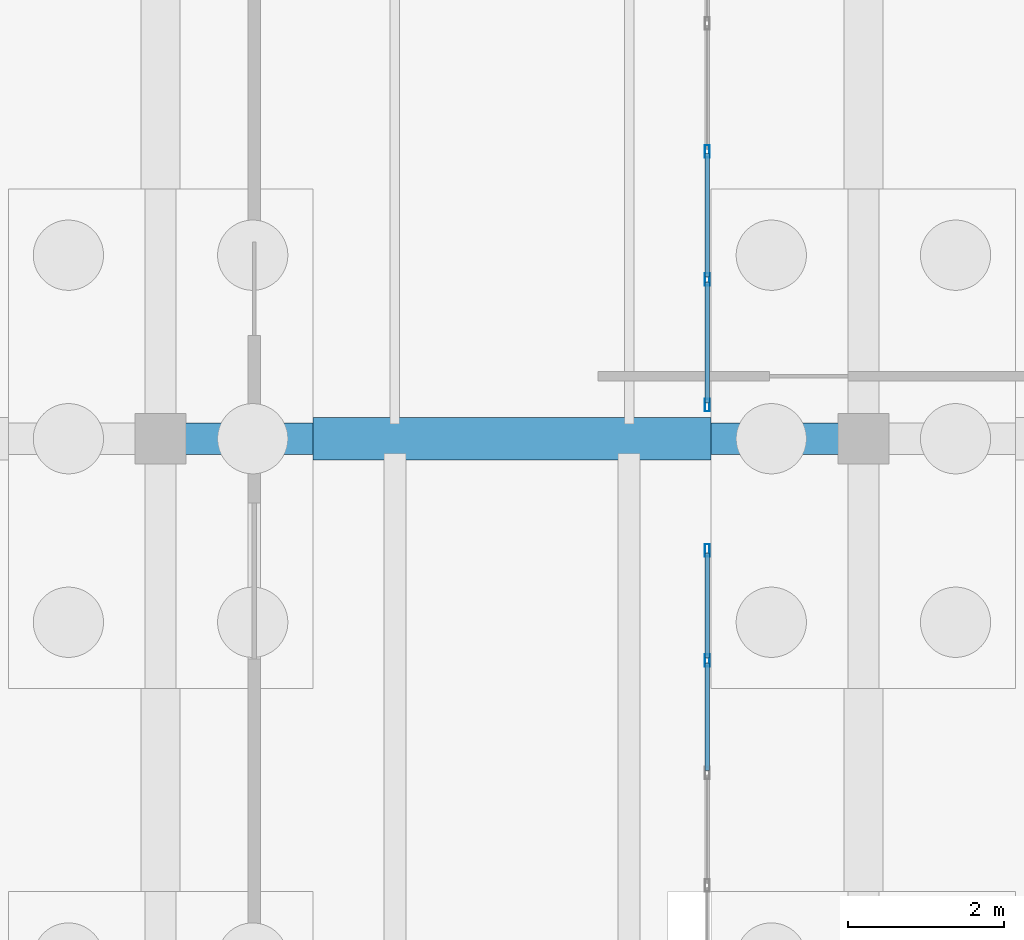
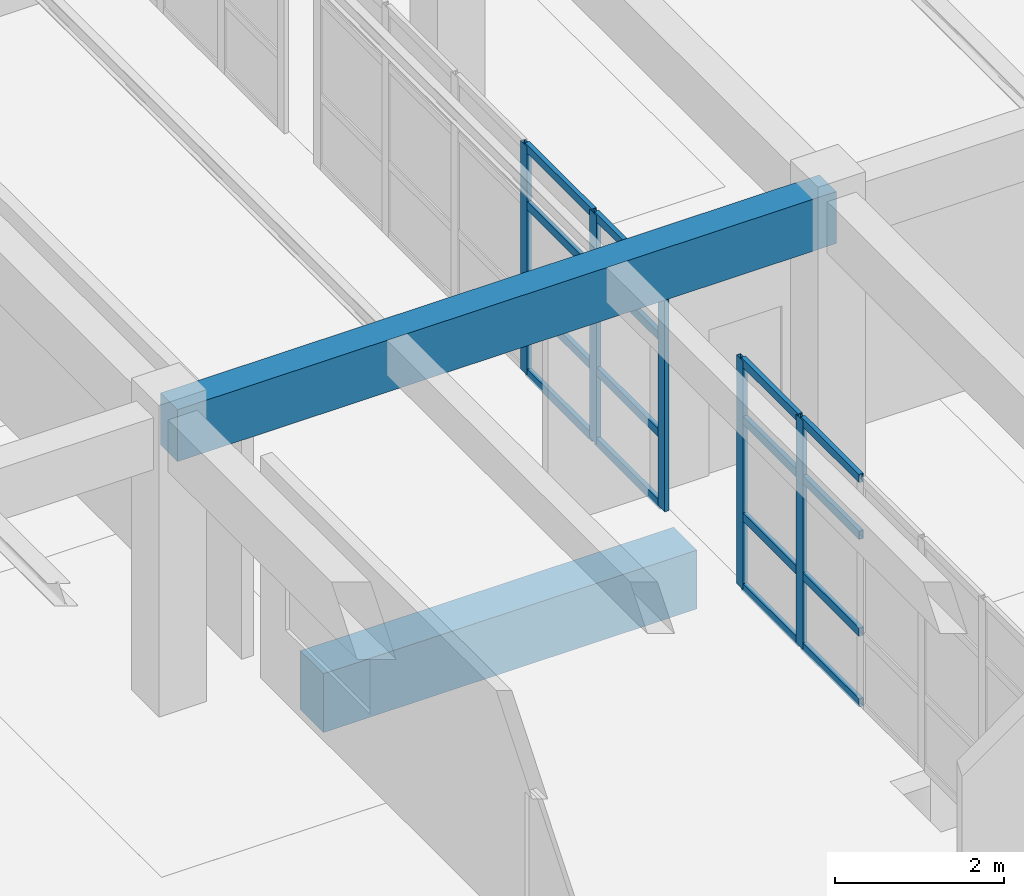
# One storey, part 117 of 186: 21 members, 2 beams, 2 elements without a shape of their own.
"""IFC4 building model written with IfcOpenShell, lengths in metres."""

from ifc_helpers import new_model, si_unit, direction, frame, origin, origin_2d, place, context, subcontext, project, spatial, rectangle, hollow_rectangle, extrude, material, layer, layer_set, material_profile, profile_set, type_object, element, aggregate, save


model = new_model("IFC4")

# Units and contexts
model_context = context("Model", 3, precision=1e-05, world=origin(), true_north=direction((0.0, 1.0)))
body_context = subcontext(model_context, "Body", "Model", "MODEL_VIEW")
ifc_project = project(units=[si_unit("LENGTHUNIT", "METRE"), si_unit("AREAUNIT", "SQUARE_METRE"), si_unit("VOLUMEUNIT", "CUBIC_METRE"), si_unit("PLANEANGLEUNIT", "RADIAN"), si_unit("MASSUNIT", "GRAM", prefix="KILO")], contexts=[model_context])

# Site, building, storey
site_placement = place(None, origin())
site = spatial("IfcSite", under=ifc_project, at=site_placement, CompositionType="ELEMENT")
building_placement = place(site_placement, origin())
building = spatial("IfcBuilding", under=site, at=building_placement, Name="Ornek Quay Market", CompositionType="ELEMENT")
storey_placement = place(building_placement, origin())
storey = spatial("IfcBuildingStorey", under=building, at=storey_placement, Name="L00", CompositionType="ELEMENT", Elevation=0.0)

# Beams
ifc_material_1 = material(Name="Concrete C35/45", Category="concrete")
ifc_material_profile_1 = material_profile(ifc_material_1, rectangle(XDim=0.39990234375, YDim=0.75, at=origin_2d()), Name="RC 400x750", Category="concrete")
ifc_profile_set_1 = profile_set([ifc_material_profile_1], Name="Concrete C35/45")
beam_type_1 = type_object("IfcBeamType", Name="BM-CS-400x750", PredefinedType="BEAM", material=ifc_profile_set_1)
beam_1_placement = place(storey_placement, frame((162.0, 47.0, 3.875), z_axis=(1.0, 0.0, 0.0), x_axis=(0.0, 1.0, 0.0)))
element("IfcBeam", 1, at=beam_1_placement, inside=storey, type_object=beam_type_1, Name="Primary beam B-CS1-011", PredefinedType="BEAM", context=body_context, shape_type="SweptSolid", body=[
    extrude(rectangle(XDim=0.39990234375, YDim=0.75, at=origin_2d()), origin(), (0.0, 0.0, 1.0), 9.0),
])
ifc_material_profile_2 = material_profile(ifc_material_1, rectangle(XDim=0.550048828125, YDim=0.85009765625, at=origin_2d()), Name="RC 550x850", Category="concrete")
ifc_profile_set_2 = profile_set([ifc_material_profile_2], Name="Concrete C35/45")
beam_type_2 = type_object("IfcBeamType", Name="BM-GB-550x850", PredefinedType="BEAM", material=ifc_profile_set_2)
beam_2_placement = place(storey_placement, frame((163.949951171875, 47.0, -0.625), z_axis=(1.0, 0.0, 0.0), x_axis=(0.0, 1.0, 0.0)))
element("IfcBeam", 2, at=beam_2_placement, inside=storey, type_object=beam_type_2, Name="Ground tie beam GB-323", PredefinedType="BEAM", context=body_context, shape_type="SweptSolid", body=[
    extrude(rectangle(XDim=0.550048828125, YDim=0.85009765625, at=origin_2d()), origin(), (0.0, 0.0, 1.0), 5.10009765625),
])

# Curtain wall, members
ifc_material_2 = material(Name="Anodised bronze aluminium and triple low-e glass", Category="aluminium")
ifc_layer = layer(ifc_material_2, 0.139892578125, Name="Anodised bronze aluminium and triple low-e glass", Category="aluminium")
ifc_layer_set = layer_set([ifc_layer], Name="Anodised bronze aluminium and triple low-e glass")
curtain_wall_type = type_object("IfcCurtainWallType", Name="CW-GALLERY-INT", PredefinedType="USERDEFINED", material=ifc_layer_set)
curtain_wall_1_placement = place(storey_placement, origin())
curtain_wall_1 = element("IfcCurtainWall", 3, at=curtain_wall_1_placement, inside=storey, type_object=curtain_wall_type, Name="Curtain wall CW-160", ObjectType="CURTAIN WALL", PredefinedType="USERDEFINED")
ifc_material_3 = material(Name="Anodised aluminium 6063-T6", Category="aluminium")
ifc_material_profile_3 = material_profile(ifc_material_3, hollow_rectangle(XDim=0.06005859375, YDim=0.159912109375, WallThickness=0.00390625, at=origin_2d()), Name="CW-MUL-60x160", Category="aluminium")
ifc_profile_set_3 = profile_set([ifc_material_profile_3], Name="Anodised aluminium 6063-T6")
member_type_1 = type_object("IfcMemberType", Name="CW-MUL-60x160", PredefinedType="MULLION", material=ifc_profile_set_3)
member_1_placement = place(storey_placement, frame((169.0, 44.159912109375, 0.0), z_axis=(0.0, 0.0, 1.0), x_axis=(-1.0, 0.0, 0.0)))
member_1 = element("IfcMember", 4, at=member_1_placement, type_object=member_type_1, Name="CW-160 mullion 5", PredefinedType="MULLION", context=body_context, shape_type="SweptSolid", body=[
    extrude(hollow_rectangle(XDim=0.06005859375, YDim=0.159912109375, WallThickness=0.00390625, at=origin_2d()), origin(), (0.0, 0.0, 1.0), 3.300048828125),
])
member_2_placement = place(storey_placement, frame((169.0, 45.570068359375, 0.0), z_axis=(0.0, 0.0, 1.0), x_axis=(-1.0, 0.0, 0.0)))
member_2 = element("IfcMember", 5, at=member_2_placement, type_object=member_type_1, Name="CW-160 mullion 6", PredefinedType="MULLION", context=body_context, shape_type="SweptSolid", body=[
    extrude(hollow_rectangle(XDim=0.06005859375, YDim=0.159912109375, WallThickness=0.00390625, at=origin_2d()), origin(), (0.0, 0.0, 1.0), 3.300048828125),
])

curtain_wall_2_placement = place(storey_placement, origin())
curtain_wall_2 = element("IfcCurtainWall", 6, at=curtain_wall_2_placement, inside=storey, type_object=curtain_wall_type, Name="Curtain wall CW-161", ObjectType="CURTAIN WALL", PredefinedType="USERDEFINED")
member_3_placement = place(storey_placement, frame((169.0, 47.429931640625, 0.0), z_axis=(0.0, 0.0, 1.0), x_axis=(-1.0, 0.0, 0.0)))
member_3 = element("IfcMember", 7, at=member_3_placement, type_object=member_type_1, Name="CW-161 mullion 1", PredefinedType="MULLION", context=body_context, shape_type="SweptSolid", body=[
    extrude(hollow_rectangle(XDim=0.06005859375, YDim=0.159912109375, WallThickness=0.00390625, at=origin_2d()), origin(), (0.0, 0.0, 1.0), 3.300048828125),
])
member_4_placement = place(storey_placement, frame((169.0, 49.0400390625, 0.0), z_axis=(0.0, 0.0, 1.0), x_axis=(-1.0, 0.0, 0.0)))
member_4 = element("IfcMember", 8, at=member_4_placement, type_object=member_type_1, Name="CW-161 mullion 2", PredefinedType="MULLION", context=body_context, shape_type="SweptSolid", body=[
    extrude(hollow_rectangle(XDim=0.06005859375, YDim=0.159912109375, WallThickness=0.00390625, at=origin_2d()), origin(), (0.0, 0.0, 1.0), 3.300048828125),
])
member_5_placement = place(storey_placement, frame((169.0, 50.679931640625, 0.0), z_axis=(0.0, 0.0, 1.0), x_axis=(-1.0, 0.0, 0.0)))
member_5 = element("IfcMember", 9, at=member_5_placement, type_object=member_type_1, Name="CW-161 mullion 3", PredefinedType="MULLION", context=body_context, shape_type="SweptSolid", body=[
    extrude(hollow_rectangle(XDim=0.06005859375, YDim=0.159912109375, WallThickness=0.00390625, at=origin_2d()), origin(), (0.0, 0.0, 1.0), 3.300048828125),
])

# Member
ifc_material_profile_4 = material_profile(ifc_material_3, hollow_rectangle(XDim=0.06005859375, YDim=0.1201171875, WallThickness=0.00390625, at=origin_2d()), Name="CW-TRN-60x120", Category="aluminium")
ifc_profile_set_4 = profile_set([ifc_material_profile_4], Name="Anodised aluminium 6063-T6")
member_type_2 = type_object("IfcMemberType", Name="CW-TRN-60x120", PredefinedType="USERDEFINED", material=ifc_profile_set_4)
member_6_placement = place(storey_placement, frame((169.0, 42.75, 0.030029296875), z_axis=(0.0, 1.0, 0.0), x_axis=(-1.0, 0.0, 0.0)))
member_6 = element("IfcMember", 10, at=member_6_placement, type_object=member_type_2, Name="CW-160 transom 4.1", ObjectType="TRANSOM", PredefinedType="USERDEFINED", context=body_context, shape_type="SweptSolid", body=[
    extrude(hollow_rectangle(XDim=0.06005859375, YDim=0.1201171875, WallThickness=0.00390625, at=origin_2d()), origin(), (0.0, 0.0, 1.0), 1.3798828125),
])

member_7_placement = place(storey_placement, frame((169.0, 42.75, 1.050048828125), z_axis=(0.0, 1.0, 0.0), x_axis=(-1.0, 0.0, 0.0)))
member_7 = element("IfcMember", 11, at=member_7_placement, type_object=member_type_2, Name="CW-160 transom 4.2", ObjectType="TRANSOM", PredefinedType="USERDEFINED", context=body_context, shape_type="SweptSolid", body=[
    extrude(hollow_rectangle(XDim=0.06005859375, YDim=0.1201171875, WallThickness=0.00390625, at=origin_2d()), origin(), (0.0, 0.0, 1.0), 1.3798828125),
])

member_8_placement = place(storey_placement, frame((169.0, 42.75, 2.449951171875), z_axis=(0.0, 1.0, 0.0), x_axis=(-1.0, 0.0, 0.0)))
member_8 = element("IfcMember", 12, at=member_8_placement, type_object=member_type_2, Name="CW-160 transom 4.3", ObjectType="TRANSOM", PredefinedType="USERDEFINED", context=body_context, shape_type="SweptSolid", body=[
    extrude(hollow_rectangle(XDim=0.06005859375, YDim=0.1201171875, WallThickness=0.00390625, at=origin_2d()), origin(), (0.0, 0.0, 1.0), 1.3798828125),
])

member_9_placement = place(storey_placement, frame((169.0, 42.75, 3.27001953125), z_axis=(0.0, 1.0, 0.0), x_axis=(-1.0, 0.0, 0.0)))
member_9 = element("IfcMember", 13, at=member_9_placement, type_object=member_type_2, Name="CW-160 transom 4.4", ObjectType="TRANSOM", PredefinedType="USERDEFINED", context=body_context, shape_type="SweptSolid", body=[
    extrude(hollow_rectangle(XDim=0.06005859375, YDim=0.1201171875, WallThickness=0.00390625, at=origin_2d()), origin(), (0.0, 0.0, 1.0), 1.3798828125),
])

member_10_placement = place(storey_placement, frame((169.0, 44.18994140625, 0.030029296875), z_axis=(0.0, 1.0, 0.0), x_axis=(-1.0, 0.0, 0.0)))
member_10 = element("IfcMember", 14, at=member_10_placement, type_object=member_type_2, Name="CW-160 transom 5.1", ObjectType="TRANSOM", PredefinedType="USERDEFINED", context=body_context, shape_type="SweptSolid", body=[
    extrude(hollow_rectangle(XDim=0.06005859375, YDim=0.1201171875, WallThickness=0.00390625, at=origin_2d()), origin(), (0.0, 0.0, 1.0), 1.35009765625),
])

member_11_placement = place(storey_placement, frame((169.0, 44.18994140625, 1.050048828125), z_axis=(0.0, 1.0, 0.0), x_axis=(-1.0, 0.0, 0.0)))
member_11 = element("IfcMember", 15, at=member_11_placement, type_object=member_type_2, Name="CW-160 transom 5.2", ObjectType="TRANSOM", PredefinedType="USERDEFINED", context=body_context, shape_type="SweptSolid", body=[
    extrude(hollow_rectangle(XDim=0.06005859375, YDim=0.1201171875, WallThickness=0.00390625, at=origin_2d()), origin(), (0.0, 0.0, 1.0), 1.35009765625),
])

member_12_placement = place(storey_placement, frame((169.0, 44.18994140625, 2.449951171875), z_axis=(0.0, 1.0, 0.0), x_axis=(-1.0, 0.0, 0.0)))
member_12 = element("IfcMember", 16, at=member_12_placement, type_object=member_type_2, Name="CW-160 transom 5.3", ObjectType="TRANSOM", PredefinedType="USERDEFINED", context=body_context, shape_type="SweptSolid", body=[
    extrude(hollow_rectangle(XDim=0.06005859375, YDim=0.1201171875, WallThickness=0.00390625, at=origin_2d()), origin(), (0.0, 0.0, 1.0), 1.35009765625),
])

member_13_placement = place(storey_placement, frame((169.0, 44.18994140625, 3.27001953125), z_axis=(0.0, 1.0, 0.0), x_axis=(-1.0, 0.0, 0.0)))
member_13 = element("IfcMember", 17, at=member_13_placement, type_object=member_type_2, Name="CW-160 transom 5.4", ObjectType="TRANSOM", PredefinedType="USERDEFINED", context=body_context, shape_type="SweptSolid", body=[
    extrude(hollow_rectangle(XDim=0.06005859375, YDim=0.1201171875, WallThickness=0.00390625, at=origin_2d()), origin(), (0.0, 0.0, 1.0), 1.35009765625),
])

aggregate(curtain_wall_1, [member_1, member_2, member_6, member_7, member_8, member_9, member_10, member_11, member_12, member_13])

member_14_placement = place(storey_placement, frame((169.0, 47.4599609375, 0.030029296875), z_axis=(0.0, 1.0, 0.0), x_axis=(-1.0, 0.0, 0.0)))
member_14 = element("IfcMember", 18, at=member_14_placement, type_object=member_type_2, Name="CW-161 transom 1.1", ObjectType="TRANSOM", PredefinedType="USERDEFINED", context=body_context, shape_type="SweptSolid", body=[
    extrude(hollow_rectangle(XDim=0.06005859375, YDim=0.1201171875, WallThickness=0.00390625, at=origin_2d()), origin(), (0.0, 0.0, 1.0), 1.550048828125),
])

member_15_placement = place(storey_placement, frame((169.0, 47.4599609375, 1.050048828125), z_axis=(0.0, 1.0, 0.0), x_axis=(-1.0, 0.0, 0.0)))
member_15 = element("IfcMember", 19, at=member_15_placement, type_object=member_type_2, Name="CW-161 transom 1.2", ObjectType="TRANSOM", PredefinedType="USERDEFINED", context=body_context, shape_type="SweptSolid", body=[
    extrude(hollow_rectangle(XDim=0.06005859375, YDim=0.1201171875, WallThickness=0.00390625, at=origin_2d()), origin(), (0.0, 0.0, 1.0), 1.550048828125),
])

member_16_placement = place(storey_placement, frame((169.0, 47.4599609375, 2.449951171875), z_axis=(0.0, 1.0, 0.0), x_axis=(-1.0, 0.0, 0.0)))
member_16 = element("IfcMember", 20, at=member_16_placement, type_object=member_type_2, Name="CW-161 transom 1.3", ObjectType="TRANSOM", PredefinedType="USERDEFINED", context=body_context, shape_type="SweptSolid", body=[
    extrude(hollow_rectangle(XDim=0.06005859375, YDim=0.1201171875, WallThickness=0.00390625, at=origin_2d()), origin(), (0.0, 0.0, 1.0), 1.550048828125),
])

member_17_placement = place(storey_placement, frame((169.0, 47.4599609375, 3.27001953125), z_axis=(0.0, 1.0, 0.0), x_axis=(-1.0, 0.0, 0.0)))
member_17 = element("IfcMember", 21, at=member_17_placement, type_object=member_type_2, Name="CW-161 transom 1.4", ObjectType="TRANSOM", PredefinedType="USERDEFINED", context=body_context, shape_type="SweptSolid", body=[
    extrude(hollow_rectangle(XDim=0.06005859375, YDim=0.1201171875, WallThickness=0.00390625, at=origin_2d()), origin(), (0.0, 0.0, 1.0), 1.550048828125),
])

member_18_placement = place(storey_placement, frame((169.0, 49.070068359375, 0.030029296875), z_axis=(0.0, 1.0, 0.0), x_axis=(-1.0, 0.0, 0.0)))
member_18 = element("IfcMember", 22, at=member_18_placement, type_object=member_type_2, Name="CW-161 transom 2.1", ObjectType="TRANSOM", PredefinedType="USERDEFINED", context=body_context, shape_type="SweptSolid", body=[
    extrude(hollow_rectangle(XDim=0.06005859375, YDim=0.1201171875, WallThickness=0.00390625, at=origin_2d()), origin(), (0.0, 0.0, 1.0), 1.579833984375),
])

member_19_placement = place(storey_placement, frame((169.0, 49.070068359375, 1.050048828125), z_axis=(0.0, 1.0, 0.0), x_axis=(-1.0, 0.0, 0.0)))
member_19 = element("IfcMember", 23, at=member_19_placement, type_object=member_type_2, Name="CW-161 transom 2.2", ObjectType="TRANSOM", PredefinedType="USERDEFINED", context=body_context, shape_type="SweptSolid", body=[
    extrude(hollow_rectangle(XDim=0.06005859375, YDim=0.1201171875, WallThickness=0.00390625, at=origin_2d()), origin(), (0.0, 0.0, 1.0), 1.579833984375),
])

member_20_placement = place(storey_placement, frame((169.0, 49.070068359375, 2.449951171875), z_axis=(0.0, 1.0, 0.0), x_axis=(-1.0, 0.0, 0.0)))
member_20 = element("IfcMember", 24, at=member_20_placement, type_object=member_type_2, Name="CW-161 transom 2.3", ObjectType="TRANSOM", PredefinedType="USERDEFINED", context=body_context, shape_type="SweptSolid", body=[
    extrude(hollow_rectangle(XDim=0.06005859375, YDim=0.1201171875, WallThickness=0.00390625, at=origin_2d()), origin(), (0.0, 0.0, 1.0), 1.579833984375),
])

member_21_placement = place(storey_placement, frame((169.0, 49.070068359375, 3.27001953125), z_axis=(0.0, 1.0, 0.0), x_axis=(-1.0, 0.0, 0.0)))
member_21 = element("IfcMember", 25, at=member_21_placement, type_object=member_type_2, Name="CW-161 transom 2.4", ObjectType="TRANSOM", PredefinedType="USERDEFINED", context=body_context, shape_type="SweptSolid", body=[
    extrude(hollow_rectangle(XDim=0.06005859375, YDim=0.1201171875, WallThickness=0.00390625, at=origin_2d()), origin(), (0.0, 0.0, 1.0), 1.579833984375),
])

aggregate(curtain_wall_2, [member_3, member_4, member_5, member_14, member_15, member_16, member_17, member_18, member_19, member_20, member_21])

save(model, "model.ifc")
